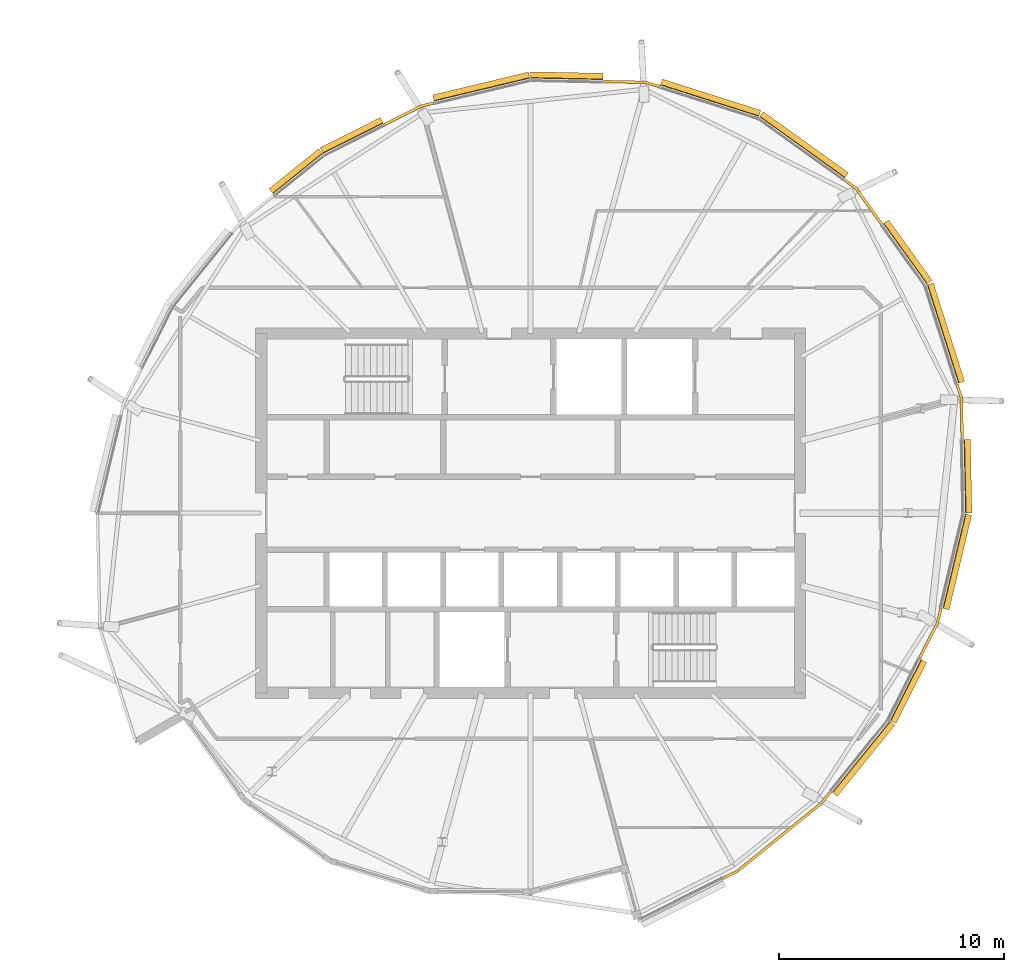
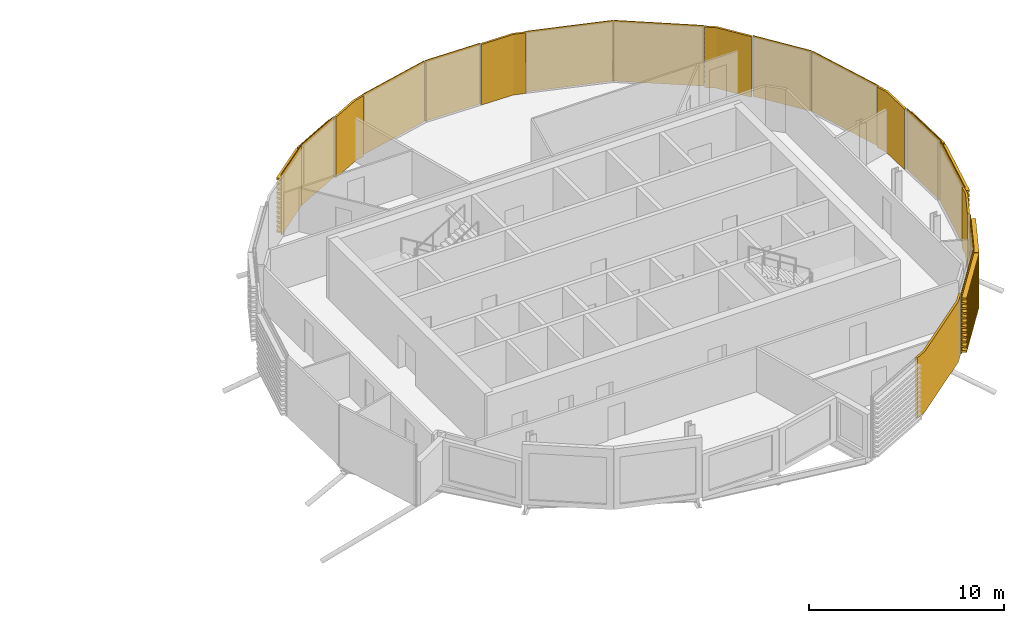
# One storey, part 33 of 33: 18 coverings.
"""IFC4 building model written with IfcOpenShell, lengths in metres."""

from ifc_helpers import new_model, si_unit, direction, frame, origin, place, context, subcontext, project, spatial, polyline, outline, extrude, material, layer, layer_set, material_profile, profile_set, type_object, element, save


model = new_model("IFC4")

# Units and contexts
model_context = context("Model", 3, precision=1e-05, world=origin(), true_north=direction((0.0, 1.0)))
body_context = subcontext(model_context, "Body", "Model", "MODEL_VIEW")
ifc_project = project(units=[si_unit("LENGTHUNIT", "METRE"), si_unit("AREAUNIT", "SQUARE_METRE"), si_unit("VOLUMEUNIT", "CUBIC_METRE"), si_unit("PLANEANGLEUNIT", "RADIAN"), si_unit("MASSUNIT", "GRAM", prefix="KILO")], contexts=[model_context])

# Site, building, storey
site_placement = place(None, origin())
site = spatial("IfcSite", under=ifc_project, at=site_placement, CompositionType="ELEMENT")
building_placement = place(site_placement, origin())
building = spatial("IfcBuilding", under=site, at=building_placement, Name="Rimbun Link Towers", CompositionType="ELEMENT")
storey_placement = place(building_placement, frame((0.0, 0.0, 237.10009765625)))
storey = spatial("IfcBuildingStorey", under=building, at=storey_placement, Name="L58", CompositionType="ELEMENT", Elevation=237.10009765625)

# Coverings
ifc_material_1 = material(Name="Terracotta", Category="masonry")
ifc_layer = layer(ifc_material_1, 0.1201171875)
ifc_layer_set = layer_set([ifc_layer], Name="LINK PIER terracotta cladding 120")
covering_type_1 = type_object("IfcCoveringType", Name="LINK PIER terracotta cladding 120", PredefinedType="CLADDING", material=ifc_layer_set)
covering_1_placement = place(storey_placement, origin())
element("IfcCovering", 1, at=covering_1_placement, inside=storey, type_object=covering_type_1, Name="LINK PIER cladding", PredefinedType="CLADDING", context=body_context, shape_type="SweptSolid", body=[
    extrude(outline(polyline([(45.68896484375, 14.80419921875), (46.19287109375, 14.44287109375), (47.34130859375, 12.84228515625), (47.438720703125, 12.912109375), (46.27880859375, 14.52880859375), (45.759033203125, 14.90185546875), (45.68896484375, 14.80419921875)])), origin(), (0.0, 0.0, 1.0), 3.7998046875),
])
covering_2_placement = place(storey_placement, origin())
element("IfcCovering", 2, at=covering_2_placement, inside=storey, type_object=covering_type_1, Name="LINK PIER cladding", PredefinedType="CLADDING", context=body_context, shape_type="SweptSolid", body=[
    extrude(outline(polyline([(35.00634765625, 19.169677734375), (36.8759765625, 19.13037109375), (37.466796875, 18.9423828125), (37.503173828125, 19.056640625), (36.895751953125, 19.25), (35.0087890625, 19.28955078125), (35.00634765625, 19.169677734375)])), origin(), (0.0, 0.0, 1.0), 3.7998046875),
])
covering_3_placement = place(storey_placement, origin())
element("IfcCovering", 3, at=covering_3_placement, inside=storey, type_object=covering_type_1, Name="LINK PIER cladding", PredefinedType="CLADDING", context=body_context, shape_type="SweptSolid", body=[
    extrude(outline(polyline([(25.279052734375, 17.262939453125), (26.905517578125, 18.07958984375), (27.4599609375, 18.21240234375), (27.43212890625, 18.3291015625), (26.8642578125, 18.193115234375), (25.225341796875, 17.3701171875), (25.279052734375, 17.262939453125)])), origin(), (0.0, 0.0, 1.0), 3.7998046875),
])
covering_4_placement = place(storey_placement, origin())
element("IfcCovering", 4, at=covering_4_placement, inside=storey, type_object=covering_type_1, Name="LINK PIER cladding", PredefinedType="CLADDING", context=body_context, shape_type="SweptSolid", body=[
    extrude(outline(polyline([(45.06689453125, -12.37451171875), (44.6455078125, -12.8955078125), (40.930908203125, -15.90185546875), (40.28759765625, -16.22509765625), (40.341552734375, -16.332275390625), (40.996337890625, -16.00341796875), (44.730712890625, -12.980712890625), (45.16015625, -12.4501953125), (45.06689453125, -12.37451171875)])), origin(), (0.0, 0.0, 1.0), 3.7998046875),
])
covering_5_placement = place(storey_placement, origin())
element("IfcCovering", 5, at=covering_5_placement, inside=storey, type_object=covering_type_1, Name="LINK PIER cladding", PredefinedType="CLADDING", context=body_context, shape_type="SweptSolid", body=[
    extrude(outline(polyline([(49.973876953125, -4.241455078125), (49.82958984375, -4.844482421875), (49.035400390625, -6.42626953125), (49.142578125, -6.47998046875), (49.943115234375, -4.8857421875), (50.090576171875, -4.269287109375), (49.973876953125, -4.241455078125)])), origin(), (0.0, 0.0, 1.0), 3.7998046875),
])
covering_6_placement = place(storey_placement, origin())
element("IfcCovering", 6, at=covering_6_placement, inside=storey, type_object=covering_type_1, Name="LINK PIER cladding", PredefinedType="CLADDING", context=body_context, shape_type="SweptSolid", body=[
    extrude(outline(polyline([(50.6923828125, 5.716796875), (50.88037109375, 5.1259765625), (50.918701171875, 3.306396484375), (51.03857421875, 3.308837890625), (51.0, 5.145751953125), (50.806640625, 5.753173828125), (50.6923828125, 5.716796875)])), origin(), (0.0, 0.0, 1.0), 3.7998046875),
])
ifc_material_2 = material(Name="Terracotta", Category="masonry")
ifc_material_profile = material_profile(ifc_material_2, outline(polyline([(0.123046875, 0.0), (0.1630859375, 0.0), (0.1630859375, 0.10009765625), (0.423095703125, 0.10009765625), (0.423095703125, 0.219970703125), (0.1630859375, 0.219970703125), (0.1630859375, 0.39990234375), (0.423095703125, 0.39990234375), (0.423095703125, 0.52001953125), (0.1630859375, 0.52001953125), (0.1630859375, 0.699951171875), (0.423095703125, 0.699951171875), (0.423095703125, 0.820068359375), (0.1630859375, 0.820068359375), (0.1630859375, 1.0), (0.423095703125, 1.0), (0.423095703125, 1.1201171875), (0.1630859375, 1.1201171875), (0.1630859375, 1.300048828125), (0.423095703125, 1.300048828125), (0.423095703125, 1.419921875), (0.1630859375, 1.419921875), (0.1630859375, 1.60009765625), (0.423095703125, 1.60009765625), (0.423095703125, 1.719970703125), (0.1630859375, 1.719970703125), (0.1630859375, 1.89990234375), (0.423095703125, 1.89990234375), (0.423095703125, 2.02001953125), (0.1630859375, 2.02001953125), (0.1630859375, 2.199951171875), (0.423095703125, 2.199951171875), (0.423095703125, 2.320068359375), (0.1630859375, 2.320068359375), (0.1630859375, 2.5), (0.423095703125, 2.5), (0.423095703125, 2.6201171875), (0.1630859375, 2.6201171875), (0.1630859375, 2.800048828125), (0.423095703125, 2.800048828125), (0.423095703125, 2.919921875), (0.1630859375, 2.919921875), (0.1630859375, 3.10009765625), (0.423095703125, 3.10009765625), (0.423095703125, 3.219970703125), (0.1630859375, 3.219970703125), (0.1630859375, 3.39990234375), (0.423095703125, 3.39990234375), (0.423095703125, 3.52001953125), (0.1630859375, 3.52001953125), (0.1630859375, 3.800048828125), (0.123046875, 3.800048828125), (0.123046875, 0.0)])), Name="BAGUETTE 120X300")
ifc_profile_set = profile_set([ifc_material_profile], Name="Terracotta")
covering_type_2 = type_object("IfcCoveringType", Name="TERRACOTTA BAGUETTE 120X300 H3800", PredefinedType="CLADDING", material=ifc_profile_set)
covering_7_placement = place(storey_placement, frame((41.876708984375, 17.539794921875, 0.0), z_axis=(0.812489722705, -0.582975514493, 0.0), x_axis=(0.582975514493, 0.812489722705, 0.0)))
element("IfcCovering", 7, at=covering_7_placement, inside=storey, type_object=covering_type_2, Name="TERRACOTTA BAGUETTE", PredefinedType="CLADDING", context=body_context, shape_type="SweptSolid", body=[
    extrude(outline(polyline([(0.123046875, 0.0), (0.1630859375, 0.0), (0.1630859375, 0.10009765625), (0.423095703125, 0.10009765625), (0.423095703125, 0.219970703125), (0.1630859375, 0.219970703125), (0.1630859375, 0.39990234375), (0.423095703125, 0.39990234375), (0.423095703125, 0.52001953125), (0.1630859375, 0.52001953125), (0.1630859375, 0.699951171875), (0.423095703125, 0.699951171875), (0.423095703125, 0.820068359375), (0.1630859375, 0.820068359375), (0.1630859375, 1.0), (0.423095703125, 1.0), (0.423095703125, 1.1201171875), (0.1630859375, 1.1201171875), (0.1630859375, 1.300048828125), (0.423095703125, 1.300048828125), (0.423095703125, 1.419921875), (0.1630859375, 1.419921875), (0.1630859375, 1.60009765625), (0.423095703125, 1.60009765625), (0.423095703125, 1.719970703125), (0.1630859375, 1.719970703125), (0.1630859375, 1.89990234375), (0.423095703125, 1.89990234375), (0.423095703125, 2.02001953125), (0.1630859375, 2.02001953125), (0.1630859375, 2.199951171875), (0.423095703125, 2.199951171875), (0.423095703125, 2.320068359375), (0.1630859375, 2.320068359375), (0.1630859375, 2.5), (0.423095703125, 2.5), (0.423095703125, 2.6201171875), (0.1630859375, 2.6201171875), (0.1630859375, 2.800048828125), (0.423095703125, 2.800048828125), (0.423095703125, 2.919921875), (0.1630859375, 2.919921875), (0.1630859375, 3.10009765625), (0.423095703125, 3.10009765625), (0.423095703125, 3.219970703125), (0.1630859375, 3.219970703125), (0.1630859375, 3.39990234375), (0.423095703125, 3.39990234375), (0.423095703125, 3.52001953125), (0.1630859375, 3.52001953125), (0.1630859375, 3.800048828125), (0.123046875, 3.800048828125), (0.123046875, 0.0)])), origin(), (0.0, 0.0, 1.0), 4.662353515625),
])
covering_8_placement = place(storey_placement, frame((37.495361328125, 18.933349609375, 0.0), z_axis=(0.952957854704, -0.303102832645, 0.0), x_axis=(0.303102832645, 0.952957854704, 0.0)))
element("IfcCovering", 8, at=covering_8_placement, inside=storey, type_object=covering_type_2, Name="TERRACOTTA BAGUETTE", PredefinedType="CLADDING", context=body_context, shape_type="SweptSolid", body=[
    extrude(outline(polyline([(0.123046875, 0.0), (0.1630859375, 0.0), (0.1630859375, 0.10009765625), (0.423095703125, 0.10009765625), (0.423095703125, 0.219970703125), (0.1630859375, 0.219970703125), (0.1630859375, 0.39990234375), (0.423095703125, 0.39990234375), (0.423095703125, 0.52001953125), (0.1630859375, 0.52001953125), (0.1630859375, 0.699951171875), (0.423095703125, 0.699951171875), (0.423095703125, 0.820068359375), (0.1630859375, 0.820068359375), (0.1630859375, 1.0), (0.423095703125, 1.0), (0.423095703125, 1.1201171875), (0.1630859375, 1.1201171875), (0.1630859375, 1.300048828125), (0.423095703125, 1.300048828125), (0.423095703125, 1.419921875), (0.1630859375, 1.419921875), (0.1630859375, 1.60009765625), (0.423095703125, 1.60009765625), (0.423095703125, 1.719970703125), (0.1630859375, 1.719970703125), (0.1630859375, 1.89990234375), (0.423095703125, 1.89990234375), (0.423095703125, 2.02001953125), (0.1630859375, 2.02001953125), (0.1630859375, 2.199951171875), (0.423095703125, 2.199951171875), (0.423095703125, 2.320068359375), (0.1630859375, 2.320068359375), (0.1630859375, 2.5), (0.423095703125, 2.5), (0.423095703125, 2.6201171875), (0.1630859375, 2.6201171875), (0.1630859375, 2.800048828125), (0.423095703125, 2.800048828125), (0.423095703125, 2.919921875), (0.1630859375, 2.919921875), (0.1630859375, 3.10009765625), (0.423095703125, 3.10009765625), (0.423095703125, 3.219970703125), (0.1630859375, 3.219970703125), (0.1630859375, 3.39990234375), (0.423095703125, 3.39990234375), (0.423095703125, 3.52001953125), (0.1630859375, 3.52001953125), (0.1630859375, 3.800048828125), (0.123046875, 3.800048828125), (0.123046875, 0.0)])), origin(), (0.0, 0.0, 1.0), 4.59765625),
])
covering_9_placement = place(storey_placement, frame((31.75, 19.23828125, 0.0), z_axis=(0.999778802026, -0.021032047443, 0.0), x_axis=(0.021032047443, 0.999778802026, 0.0)))
element("IfcCovering", 9, at=covering_9_placement, inside=storey, type_object=covering_type_2, Name="TERRACOTTA BAGUETTE", PredefinedType="CLADDING", context=body_context, shape_type="SweptSolid", body=[
    extrude(outline(polyline([(0.123046875, 0.0), (0.1630859375, 0.0), (0.1630859375, 0.10009765625), (0.423095703125, 0.10009765625), (0.423095703125, 0.219970703125), (0.1630859375, 0.219970703125), (0.1630859375, 0.39990234375), (0.423095703125, 0.39990234375), (0.423095703125, 0.52001953125), (0.1630859375, 0.52001953125), (0.1630859375, 0.699951171875), (0.423095703125, 0.699951171875), (0.423095703125, 0.820068359375), (0.1630859375, 0.820068359375), (0.1630859375, 1.0), (0.423095703125, 1.0), (0.423095703125, 1.1201171875), (0.1630859375, 1.1201171875), (0.1630859375, 1.300048828125), (0.423095703125, 1.300048828125), (0.423095703125, 1.419921875), (0.1630859375, 1.419921875), (0.1630859375, 1.60009765625), (0.423095703125, 1.60009765625), (0.423095703125, 1.719970703125), (0.1630859375, 1.719970703125), (0.1630859375, 1.89990234375), (0.423095703125, 1.89990234375), (0.423095703125, 2.02001953125), (0.1630859375, 2.02001953125), (0.1630859375, 2.199951171875), (0.423095703125, 2.199951171875), (0.423095703125, 2.320068359375), (0.1630859375, 2.320068359375), (0.1630859375, 2.5), (0.423095703125, 2.5), (0.423095703125, 2.6201171875), (0.1630859375, 2.6201171875), (0.1630859375, 2.800048828125), (0.423095703125, 2.800048828125), (0.423095703125, 2.919921875), (0.1630859375, 2.919921875), (0.1630859375, 3.10009765625), (0.423095703125, 3.10009765625), (0.423095703125, 3.219970703125), (0.1630859375, 3.219970703125), (0.1630859375, 3.39990234375), (0.423095703125, 3.39990234375), (0.423095703125, 3.52001953125), (0.1630859375, 3.52001953125), (0.1630859375, 3.800048828125), (0.123046875, 3.800048828125), (0.123046875, 0.0)])), origin(), (0.0, 0.0, 1.0), 3.22705078125),
])
covering_10_placement = place(storey_placement, frame((27.4892578125, 18.21923828125, 0.0), z_axis=(0.972570121916, 0.232609883617, 0.0), x_axis=(-0.232609883617, 0.972570121916, 0.0)))
element("IfcCovering", 10, at=covering_10_placement, inside=storey, type_object=covering_type_2, Name="TERRACOTTA BAGUETTE", PredefinedType="CLADDING", context=body_context, shape_type="SweptSolid", body=[
    extrude(outline(polyline([(0.123046875, 0.0), (0.1630859375, 0.0), (0.1630859375, 0.10009765625), (0.423095703125, 0.10009765625), (0.423095703125, 0.219970703125), (0.1630859375, 0.219970703125), (0.1630859375, 0.39990234375), (0.423095703125, 0.39990234375), (0.423095703125, 0.52001953125), (0.1630859375, 0.52001953125), (0.1630859375, 0.699951171875), (0.423095703125, 0.699951171875), (0.423095703125, 0.820068359375), (0.1630859375, 0.820068359375), (0.1630859375, 1.0), (0.423095703125, 1.0), (0.423095703125, 1.1201171875), (0.1630859375, 1.1201171875), (0.1630859375, 1.300048828125), (0.423095703125, 1.300048828125), (0.423095703125, 1.419921875), (0.1630859375, 1.419921875), (0.1630859375, 1.60009765625), (0.423095703125, 1.60009765625), (0.423095703125, 1.719970703125), (0.1630859375, 1.719970703125), (0.1630859375, 1.89990234375), (0.423095703125, 1.89990234375), (0.423095703125, 2.02001953125), (0.1630859375, 2.02001953125), (0.1630859375, 2.199951171875), (0.423095703125, 2.199951171875), (0.423095703125, 2.320068359375), (0.1630859375, 2.320068359375), (0.1630859375, 2.5), (0.423095703125, 2.5), (0.423095703125, 2.6201171875), (0.1630859375, 2.6201171875), (0.1630859375, 2.800048828125), (0.423095703125, 2.800048828125), (0.423095703125, 2.919921875), (0.1630859375, 2.919921875), (0.1630859375, 3.10009765625), (0.423095703125, 3.10009765625), (0.423095703125, 3.219970703125), (0.1630859375, 3.219970703125), (0.1630859375, 3.39990234375), (0.423095703125, 3.39990234375), (0.423095703125, 3.52001953125), (0.1630859375, 3.52001953125), (0.1630859375, 3.800048828125), (0.123046875, 3.800048828125), (0.123046875, 0.0)])), origin(), (0.0, 0.0, 1.0), 4.380859375),
])
covering_11_placement = place(storey_placement, frame((22.569091796875, 15.90185546875, 0.0), z_axis=(0.89362897726, 0.448806473885, 0.0), x_axis=(-0.448806473885, 0.89362897726, 0.0)))
element("IfcCovering", 11, at=covering_11_placement, inside=storey, type_object=covering_type_2, Name="TERRACOTTA BAGUETTE", PredefinedType="CLADDING", context=body_context, shape_type="SweptSolid", body=[
    extrude(outline(polyline([(0.123046875, 0.0), (0.1630859375, 0.0), (0.1630859375, 0.10009765625), (0.423095703125, 0.10009765625), (0.423095703125, 0.219970703125), (0.1630859375, 0.219970703125), (0.1630859375, 0.39990234375), (0.423095703125, 0.39990234375), (0.423095703125, 0.52001953125), (0.1630859375, 0.52001953125), (0.1630859375, 0.699951171875), (0.423095703125, 0.699951171875), (0.423095703125, 0.820068359375), (0.1630859375, 0.820068359375), (0.1630859375, 1.0), (0.423095703125, 1.0), (0.423095703125, 1.1201171875), (0.1630859375, 1.1201171875), (0.1630859375, 1.300048828125), (0.423095703125, 1.300048828125), (0.423095703125, 1.419921875), (0.1630859375, 1.419921875), (0.1630859375, 1.60009765625), (0.423095703125, 1.60009765625), (0.423095703125, 1.719970703125), (0.1630859375, 1.719970703125), (0.1630859375, 1.89990234375), (0.423095703125, 1.89990234375), (0.423095703125, 2.02001953125), (0.1630859375, 2.02001953125), (0.1630859375, 2.199951171875), (0.423095703125, 2.199951171875), (0.423095703125, 2.320068359375), (0.1630859375, 2.320068359375), (0.1630859375, 2.5), (0.423095703125, 2.5), (0.423095703125, 2.6201171875), (0.1630859375, 2.6201171875), (0.1630859375, 2.800048828125), (0.423095703125, 2.800048828125), (0.423095703125, 2.919921875), (0.1630859375, 2.919921875), (0.1630859375, 3.10009765625), (0.423095703125, 3.10009765625), (0.423095703125, 3.219970703125), (0.1630859375, 3.219970703125), (0.1630859375, 3.39990234375), (0.423095703125, 3.39990234375), (0.423095703125, 3.52001953125), (0.1630859375, 3.52001953125), (0.1630859375, 3.800048828125), (0.123046875, 3.800048828125), (0.123046875, 0.0)])), origin(), (0.0, 0.0, 1.0), 3.002685546875),
])
covering_12_placement = place(storey_placement, frame((20.370361328125, 14.122314453125, 0.0), z_axis=(0.777311195317, 0.629116289437, 0.0), x_axis=(-0.629116289437, 0.777311195317, 0.0)))
element("IfcCovering", 12, at=covering_12_placement, inside=storey, type_object=covering_type_2, Name="TERRACOTTA BAGUETTE", PredefinedType="CLADDING", context=body_context, shape_type="SweptSolid", body=[
    extrude(outline(polyline([(0.123046875, 0.0), (0.1630859375, 0.0), (0.1630859375, 0.10009765625), (0.423095703125, 0.10009765625), (0.423095703125, 0.219970703125), (0.1630859375, 0.219970703125), (0.1630859375, 0.39990234375), (0.423095703125, 0.39990234375), (0.423095703125, 0.52001953125), (0.1630859375, 0.52001953125), (0.1630859375, 0.699951171875), (0.423095703125, 0.699951171875), (0.423095703125, 0.820068359375), (0.1630859375, 0.820068359375), (0.1630859375, 1.0), (0.423095703125, 1.0), (0.423095703125, 1.1201171875), (0.1630859375, 1.1201171875), (0.1630859375, 1.300048828125), (0.423095703125, 1.300048828125), (0.423095703125, 1.419921875), (0.1630859375, 1.419921875), (0.1630859375, 1.60009765625), (0.423095703125, 1.60009765625), (0.423095703125, 1.719970703125), (0.1630859375, 1.719970703125), (0.1630859375, 1.89990234375), (0.423095703125, 1.89990234375), (0.423095703125, 2.02001953125), (0.1630859375, 2.02001953125), (0.1630859375, 2.199951171875), (0.423095703125, 2.199951171875), (0.423095703125, 2.320068359375), (0.1630859375, 2.320068359375), (0.1630859375, 2.5), (0.423095703125, 2.5), (0.423095703125, 2.6201171875), (0.1630859375, 2.6201171875), (0.1630859375, 2.800048828125), (0.423095703125, 2.800048828125), (0.423095703125, 2.919921875), (0.1630859375, 2.919921875), (0.1630859375, 3.10009765625), (0.423095703125, 3.10009765625), (0.423095703125, 3.219970703125), (0.1630859375, 3.219970703125), (0.1630859375, 3.39990234375), (0.423095703125, 3.39990234375), (0.423095703125, 3.52001953125), (0.1630859375, 3.52001953125), (0.1630859375, 3.800048828125), (0.123046875, 3.800048828125), (0.123046875, 0.0)])), origin(), (0.0, 0.0, 1.0), 2.82861328125),
])
covering_13_placement = place(storey_placement, frame((47.65185546875, -9.180908203125, 0.0), z_axis=(-0.629144848884, -0.777288079879, 0.0), x_axis=(0.777288079879, -0.629144848884, 0.0)))
element("IfcCovering", 13, at=covering_13_placement, inside=storey, type_object=covering_type_2, Name="TERRACOTTA BAGUETTE", PredefinedType="CLADDING", context=body_context, shape_type="SweptSolid", body=[
    extrude(outline(polyline([(0.123046875, 0.0), (0.1630859375, 0.0), (0.1630859375, 0.10009765625), (0.423095703125, 0.10009765625), (0.423095703125, 0.219970703125), (0.1630859375, 0.219970703125), (0.1630859375, 0.39990234375), (0.423095703125, 0.39990234375), (0.423095703125, 0.52001953125), (0.1630859375, 0.52001953125), (0.1630859375, 0.699951171875), (0.423095703125, 0.699951171875), (0.423095703125, 0.820068359375), (0.1630859375, 0.820068359375), (0.1630859375, 1.0), (0.423095703125, 1.0), (0.423095703125, 1.1201171875), (0.1630859375, 1.1201171875), (0.1630859375, 1.300048828125), (0.423095703125, 1.300048828125), (0.423095703125, 1.419921875), (0.1630859375, 1.419921875), (0.1630859375, 1.60009765625), (0.423095703125, 1.60009765625), (0.423095703125, 1.719970703125), (0.1630859375, 1.719970703125), (0.1630859375, 1.89990234375), (0.423095703125, 1.89990234375), (0.423095703125, 2.02001953125), (0.1630859375, 2.02001953125), (0.1630859375, 2.199951171875), (0.423095703125, 2.199951171875), (0.423095703125, 2.320068359375), (0.1630859375, 2.320068359375), (0.1630859375, 2.5), (0.423095703125, 2.5), (0.423095703125, 2.6201171875), (0.1630859375, 2.6201171875), (0.1630859375, 2.800048828125), (0.423095703125, 2.800048828125), (0.423095703125, 2.919921875), (0.1630859375, 2.919921875), (0.1630859375, 3.10009765625), (0.423095703125, 3.10009765625), (0.423095703125, 3.219970703125), (0.1630859375, 3.219970703125), (0.1630859375, 3.39990234375), (0.423095703125, 3.39990234375), (0.423095703125, 3.52001953125), (0.1630859375, 3.52001953125), (0.1630859375, 3.800048828125), (0.123046875, 3.800048828125), (0.123046875, 0.0)])), origin(), (0.0, 0.0, 1.0), 4.078857421875),
])
covering_14_placement = place(storey_placement, frame((49.02197265625, -6.452880859375, 0.0), z_axis=(-0.448812354249, -0.893626023946, 0.0), x_axis=(0.893626023946, -0.448812354249, 0.0)))
element("IfcCovering", 14, at=covering_14_placement, inside=storey, type_object=covering_type_2, Name="TERRACOTTA BAGUETTE", PredefinedType="CLADDING", context=body_context, shape_type="SweptSolid", body=[
    extrude(outline(polyline([(0.123046875, 0.0), (0.1630859375, 0.0), (0.1630859375, 0.10009765625), (0.423095703125, 0.10009765625), (0.423095703125, 0.219970703125), (0.1630859375, 0.219970703125), (0.1630859375, 0.39990234375), (0.423095703125, 0.39990234375), (0.423095703125, 0.52001953125), (0.1630859375, 0.52001953125), (0.1630859375, 0.699951171875), (0.423095703125, 0.699951171875), (0.423095703125, 0.820068359375), (0.1630859375, 0.820068359375), (0.1630859375, 1.0), (0.423095703125, 1.0), (0.423095703125, 1.1201171875), (0.1630859375, 1.1201171875), (0.1630859375, 1.300048828125), (0.423095703125, 1.300048828125), (0.423095703125, 1.419921875), (0.1630859375, 1.419921875), (0.1630859375, 1.60009765625), (0.423095703125, 1.60009765625), (0.423095703125, 1.719970703125), (0.1630859375, 1.719970703125), (0.1630859375, 1.89990234375), (0.423095703125, 1.89990234375), (0.423095703125, 2.02001953125), (0.1630859375, 2.02001953125), (0.1630859375, 2.199951171875), (0.423095703125, 2.199951171875), (0.423095703125, 2.320068359375), (0.1630859375, 2.320068359375), (0.1630859375, 2.5), (0.423095703125, 2.5), (0.423095703125, 2.6201171875), (0.1630859375, 2.6201171875), (0.1630859375, 2.800048828125), (0.423095703125, 2.800048828125), (0.423095703125, 2.919921875), (0.1630859375, 2.919921875), (0.1630859375, 3.10009765625), (0.423095703125, 3.10009765625), (0.423095703125, 3.219970703125), (0.1630859375, 3.219970703125), (0.1630859375, 3.39990234375), (0.423095703125, 3.39990234375), (0.423095703125, 3.52001953125), (0.1630859375, 3.52001953125), (0.1630859375, 3.800048828125), (0.123046875, 3.800048828125), (0.123046875, 0.0)])), origin(), (0.0, 0.0, 1.0), 3.052734375),
])
covering_15_placement = place(storey_placement, frame((50.98828125, 0.0, 0.0), z_axis=(-0.232588282519, -0.972575288003, 0.0), x_axis=(0.972575288003, -0.232588282519, 0.0)))
element("IfcCovering", 15, at=covering_15_placement, inside=storey, type_object=covering_type_2, Name="TERRACOTTA BAGUETTE", PredefinedType="CLADDING", context=body_context, shape_type="SweptSolid", body=[
    extrude(outline(polyline([(0.123046875, 0.0), (0.1630859375, 0.0), (0.1630859375, 0.10009765625), (0.423095703125, 0.10009765625), (0.423095703125, 0.219970703125), (0.1630859375, 0.219970703125), (0.1630859375, 0.39990234375), (0.423095703125, 0.39990234375), (0.423095703125, 0.52001953125), (0.1630859375, 0.52001953125), (0.1630859375, 0.699951171875), (0.423095703125, 0.699951171875), (0.423095703125, 0.820068359375), (0.1630859375, 0.820068359375), (0.1630859375, 1.0), (0.423095703125, 1.0), (0.423095703125, 1.1201171875), (0.1630859375, 1.1201171875), (0.1630859375, 1.300048828125), (0.423095703125, 1.300048828125), (0.423095703125, 1.419921875), (0.1630859375, 1.419921875), (0.1630859375, 1.60009765625), (0.423095703125, 1.60009765625), (0.423095703125, 1.719970703125), (0.1630859375, 1.719970703125), (0.1630859375, 1.89990234375), (0.423095703125, 1.89990234375), (0.423095703125, 2.02001953125), (0.1630859375, 2.02001953125), (0.1630859375, 2.199951171875), (0.423095703125, 2.199951171875), (0.423095703125, 2.320068359375), (0.1630859375, 2.320068359375), (0.1630859375, 2.5), (0.423095703125, 2.5), (0.423095703125, 2.6201171875), (0.1630859375, 2.6201171875), (0.1630859375, 2.800048828125), (0.423095703125, 2.800048828125), (0.423095703125, 2.919921875), (0.1630859375, 2.919921875), (0.1630859375, 3.10009765625), (0.423095703125, 3.10009765625), (0.423095703125, 3.219970703125), (0.1630859375, 3.219970703125), (0.1630859375, 3.39990234375), (0.423095703125, 3.39990234375), (0.423095703125, 3.52001953125), (0.1630859375, 3.52001953125), (0.1630859375, 3.800048828125), (0.123046875, 3.800048828125), (0.123046875, 0.0)])), origin(), (0.0, 0.0, 1.0), 4.3310546875),
])
covering_16_placement = place(storey_placement, frame((50.919189453125, 3.2763671875, 0.0), z_axis=(0.02108324112, -0.999777723769, 0.0), x_axis=(0.999777723769, 0.02108324112, 0.0)))
element("IfcCovering", 16, at=covering_16_placement, inside=storey, type_object=covering_type_2, Name="TERRACOTTA BAGUETTE", PredefinedType="CLADDING", context=body_context, shape_type="SweptSolid", body=[
    extrude(outline(polyline([(0.123046875, 0.0), (0.1630859375, 0.0), (0.1630859375, 0.10009765625), (0.423095703125, 0.10009765625), (0.423095703125, 0.219970703125), (0.1630859375, 0.219970703125), (0.1630859375, 0.39990234375), (0.423095703125, 0.39990234375), (0.423095703125, 0.52001953125), (0.1630859375, 0.52001953125), (0.1630859375, 0.699951171875), (0.423095703125, 0.699951171875), (0.423095703125, 0.820068359375), (0.1630859375, 0.820068359375), (0.1630859375, 1.0), (0.423095703125, 1.0), (0.423095703125, 1.1201171875), (0.1630859375, 1.1201171875), (0.1630859375, 1.300048828125), (0.423095703125, 1.300048828125), (0.423095703125, 1.419921875), (0.1630859375, 1.419921875), (0.1630859375, 1.60009765625), (0.423095703125, 1.60009765625), (0.423095703125, 1.719970703125), (0.1630859375, 1.719970703125), (0.1630859375, 1.89990234375), (0.423095703125, 1.89990234375), (0.423095703125, 2.02001953125), (0.1630859375, 2.02001953125), (0.1630859375, 2.199951171875), (0.423095703125, 2.199951171875), (0.423095703125, 2.320068359375), (0.1630859375, 2.320068359375), (0.1630859375, 2.5), (0.423095703125, 2.5), (0.423095703125, 2.6201171875), (0.1630859375, 2.6201171875), (0.1630859375, 2.800048828125), (0.423095703125, 2.800048828125), (0.423095703125, 2.919921875), (0.1630859375, 2.919921875), (0.1630859375, 3.10009765625), (0.423095703125, 3.10009765625), (0.423095703125, 3.219970703125), (0.1630859375, 3.219970703125), (0.1630859375, 3.39990234375), (0.423095703125, 3.39990234375), (0.423095703125, 3.52001953125), (0.1630859375, 3.52001953125), (0.1630859375, 3.800048828125), (0.123046875, 3.800048828125), (0.123046875, 0.0)])), origin(), (0.0, 0.0, 1.0), 3.277099609375),
])
covering_17_placement = place(storey_placement, frame((49.289794921875, 10.126708984375, 0.0), z_axis=(0.303102832645, -0.952957854704, 0.0), x_axis=(0.952957854704, 0.303102832645, 0.0)))
element("IfcCovering", 17, at=covering_17_placement, inside=storey, type_object=covering_type_2, Name="TERRACOTTA BAGUETTE", PredefinedType="CLADDING", context=body_context, shape_type="SweptSolid", body=[
    extrude(outline(polyline([(0.123046875, 0.0), (0.1630859375, 0.0), (0.1630859375, 0.10009765625), (0.423095703125, 0.10009765625), (0.423095703125, 0.219970703125), (0.1630859375, 0.219970703125), (0.1630859375, 0.39990234375), (0.423095703125, 0.39990234375), (0.423095703125, 0.52001953125), (0.1630859375, 0.52001953125), (0.1630859375, 0.699951171875), (0.423095703125, 0.699951171875), (0.423095703125, 0.820068359375), (0.1630859375, 0.820068359375), (0.1630859375, 1.0), (0.423095703125, 1.0), (0.423095703125, 1.1201171875), (0.1630859375, 1.1201171875), (0.1630859375, 1.300048828125), (0.423095703125, 1.300048828125), (0.423095703125, 1.419921875), (0.1630859375, 1.419921875), (0.1630859375, 1.60009765625), (0.423095703125, 1.60009765625), (0.423095703125, 1.719970703125), (0.1630859375, 1.719970703125), (0.1630859375, 1.89990234375), (0.423095703125, 1.89990234375), (0.423095703125, 2.02001953125), (0.1630859375, 2.02001953125), (0.1630859375, 2.199951171875), (0.423095703125, 2.199951171875), (0.423095703125, 2.320068359375), (0.1630859375, 2.320068359375), (0.1630859375, 2.5), (0.423095703125, 2.5), (0.423095703125, 2.6201171875), (0.1630859375, 2.6201171875), (0.1630859375, 2.800048828125), (0.423095703125, 2.800048828125), (0.423095703125, 2.919921875), (0.1630859375, 2.919921875), (0.1630859375, 3.10009765625), (0.423095703125, 3.10009765625), (0.423095703125, 3.219970703125), (0.1630859375, 3.219970703125), (0.1630859375, 3.39990234375), (0.423095703125, 3.39990234375), (0.423095703125, 3.52001953125), (0.1630859375, 3.52001953125), (0.1630859375, 3.800048828125), (0.123046875, 3.800048828125), (0.123046875, 0.0)])), origin(), (0.0, 0.0, 1.0), 4.59765625),
])
covering_18_placement = place(storey_placement, frame((47.35888671875, 12.81787109375, 0.0), z_axis=(0.582966059378, -0.812496506831, 0.0), x_axis=(0.812496506831, 0.582966059378, 0.0)))
element("IfcCovering", 18, at=covering_18_placement, inside=storey, type_object=covering_type_2, Name="TERRACOTTA BAGUETTE", PredefinedType="CLADDING", context=body_context, shape_type="SweptSolid", body=[
    extrude(outline(polyline([(0.123046875, 0.0), (0.1630859375, 0.0), (0.1630859375, 0.10009765625), (0.423095703125, 0.10009765625), (0.423095703125, 0.219970703125), (0.1630859375, 0.219970703125), (0.1630859375, 0.39990234375), (0.423095703125, 0.39990234375), (0.423095703125, 0.52001953125), (0.1630859375, 0.52001953125), (0.1630859375, 0.699951171875), (0.423095703125, 0.699951171875), (0.423095703125, 0.820068359375), (0.1630859375, 0.820068359375), (0.1630859375, 1.0), (0.423095703125, 1.0), (0.423095703125, 1.1201171875), (0.1630859375, 1.1201171875), (0.1630859375, 1.300048828125), (0.423095703125, 1.300048828125), (0.423095703125, 1.419921875), (0.1630859375, 1.419921875), (0.1630859375, 1.60009765625), (0.423095703125, 1.60009765625), (0.423095703125, 1.719970703125), (0.1630859375, 1.719970703125), (0.1630859375, 1.89990234375), (0.423095703125, 1.89990234375), (0.423095703125, 2.02001953125), (0.1630859375, 2.02001953125), (0.1630859375, 2.199951171875), (0.423095703125, 2.199951171875), (0.423095703125, 2.320068359375), (0.1630859375, 2.320068359375), (0.1630859375, 2.5), (0.423095703125, 2.5), (0.423095703125, 2.6201171875), (0.1630859375, 2.6201171875), (0.1630859375, 2.800048828125), (0.423095703125, 2.800048828125), (0.423095703125, 2.919921875), (0.1630859375, 2.919921875), (0.1630859375, 3.10009765625), (0.423095703125, 3.10009765625), (0.423095703125, 3.219970703125), (0.1630859375, 3.219970703125), (0.1630859375, 3.39990234375), (0.423095703125, 3.39990234375), (0.423095703125, 3.52001953125), (0.1630859375, 3.52001953125), (0.1630859375, 3.800048828125), (0.123046875, 3.800048828125), (0.123046875, 0.0)])), origin(), (0.0, 0.0, 1.0), 3.312255859375),
])

save(model, "model.ifc")
